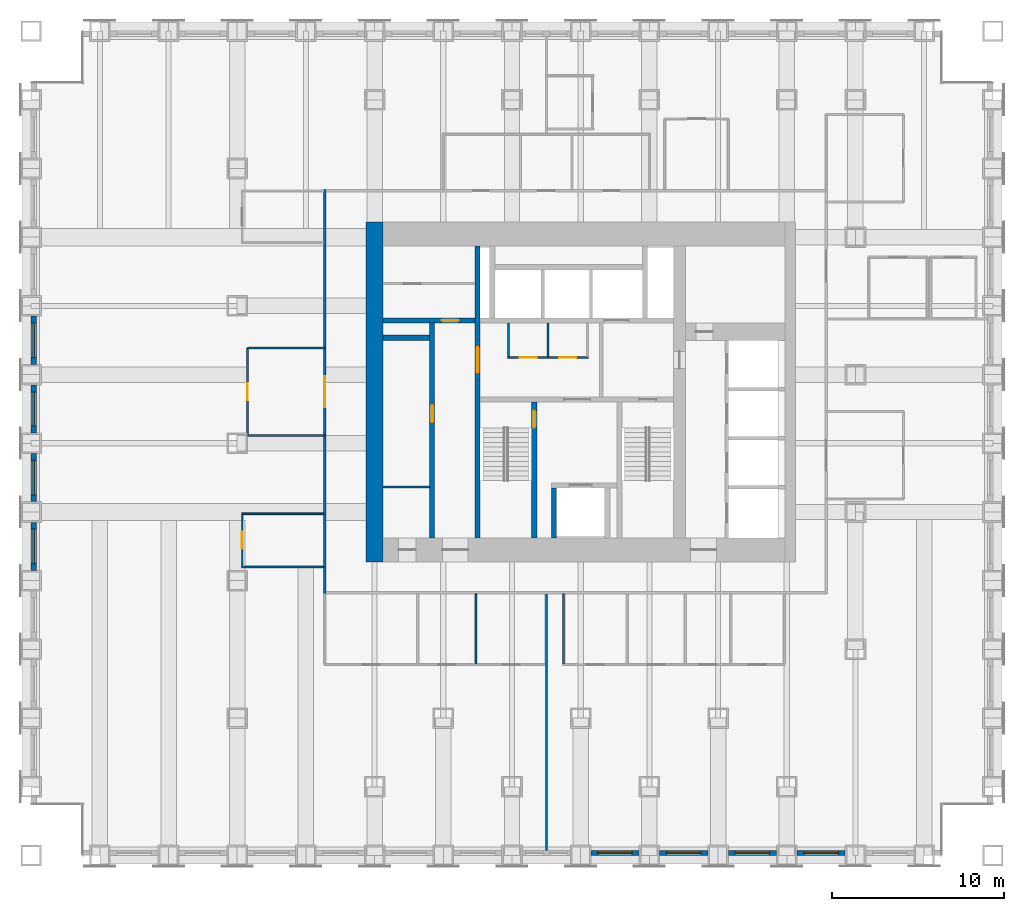
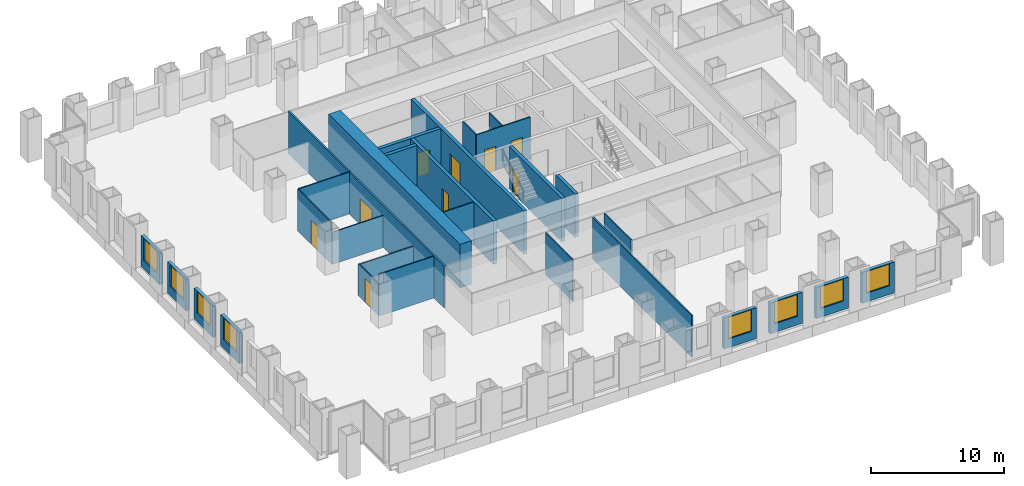
# One storey, part 8 of 14: 29 walls, 9 doors, 8 windows, 17 openings.
"""IFC4 building model written with IfcOpenShell, lengths in metres."""

from ifc_helpers import new_model, si_unit, direction, frame, frame_2d, origin, place, context, subcontext, project, spatial, rectangle, extrude, material, layer, layer_set, type_object, element, fill, save


model = new_model("IFC4")

# Units and contexts
model_context = context("Model", 3, precision=1e-05, world=origin(), true_north=direction((0.0, 1.0)))
body_context = subcontext(model_context, "Body", "Model", "MODEL_VIEW")
ifc_project = project(units=[si_unit("LENGTHUNIT", "METRE"), si_unit("AREAUNIT", "SQUARE_METRE"), si_unit("VOLUMEUNIT", "CUBIC_METRE"), si_unit("PLANEANGLEUNIT", "RADIAN"), si_unit("MASSUNIT", "GRAM", prefix="KILO")], contexts=[model_context])

# Site, building, storey
site_placement = place(None, origin())
site = spatial("IfcSite", under=ifc_project, at=site_placement, CompositionType="ELEMENT")
building_placement = place(site_placement, origin())
building = spatial("IfcBuilding", under=site, at=building_placement, Name="Rimbunsela Tower", CompositionType="ELEMENT")
storey_placement = place(building_placement, frame((0.0, 0.0, 51.0)))
storey = spatial("IfcBuildingStorey", under=building, at=storey_placement, Name="L12", CompositionType="ELEMENT", Elevation=51.0)

# Wall, opening, door
ifc_material_1 = material(Name="Concrete fc' 80 MPa", Category="concrete")
ifc_layer_1 = layer(ifc_material_1, 0.300048828125)
ifc_layer_set_1 = layer_set([ifc_layer_1], Name="Core internal wall 300")
wall_type_1 = type_object("IfcWallType", Name="Core internal wall 300", PredefinedType="SHEAR", material=ifc_layer_set_1)
wall_1_placement = place(storey_placement, frame((24.0, 18.5, -0.14990234375), z_axis=(0.0, 0.0, 1.0), x_axis=(0.0, 1.0, 0.0)))
wall_1 = element("IfcWall", 1, at=wall_1_placement, inside=storey, type_object=wall_type_1, Name="Core wall at stair A", PredefinedType="SHEAR", context=body_context, shape_type="SweptSolid", body=[
    extrude(rectangle(XDim=17.0, YDim=0.300048828125, at=frame_2d((8.5, 0.0))), origin(), (0.0, 0.0, 1.0), 4.0),
])
opening_1_placement = place(wall_1_placement, frame((9.60009765625, 0.0, 0.14990234375)))
opening_1 = element("IfcOpeningElement", 2, at=opening_1_placement, cuts=wall_1, Name="Opening D03", PredefinedType="OPENING", context=body_context, shape_type="SweptSolid", body=[
    extrude(rectangle(XDim=1.5, YDim=2.39990234375, at=frame_2d((0.75, 1.199951171875))), frame((0.0, 0.159912109375, 0.0), z_axis=(0.0, -1.0, 0.0), x_axis=(1.0, 0.0, 0.0)), (0.0, 0.0, 1.0), 0.320068359375),
])
ifc_material_2 = material(Name="Steel door, fire rated", Category="steel")
door_type_1 = type_object("IfcDoorType", Name="Core lobby door 1500", OperationType="DOUBLE_DOOR_DOUBLE_SWING", PredefinedType="DOOR", material=ifc_material_2)
door_1_placement = place(opening_1_placement, origin())
door_1 = element("IfcDoor", 3, at=door_1_placement, inside=storey, type_object=door_type_1, Name="West lobby door", OperationType="DOUBLE_DOOR_DOUBLE_SWING", OverallHeight=2.39990234375, OverallWidth=1.5, PredefinedType="DOOR", context=body_context, shape_type="SweptSolid", body=[
    extrude(rectangle(XDim=1.5, YDim=2.39990234375, at=frame_2d((0.75, 1.199951171875))), frame((0.0, 0.02490234375, 0.0), z_axis=(0.0, -1.0, 0.0), x_axis=(1.0, 0.0, 0.0)), (0.0, 0.0, 1.0), 0.050048828125),
])
fill(opening_1, door_1)

wall_2_placement = place(storey_placement, frame((27.300048828125, 18.5, -0.14990234375), z_axis=(0.0, 0.0, 1.0), x_axis=(0.0, 1.0, 0.0)))
wall_2 = element("IfcWall", 4, at=wall_2_placement, inside=storey, type_object=wall_type_1, Name="Stair A enclosure", PredefinedType="SHEAR", context=body_context, shape_type="SweptSolid", body=[
    extrude(rectangle(XDim=7.89990234375, YDim=0.300048828125, at=frame_2d((3.949951171875, 0.0))), origin(), (0.0, 0.0, 1.0), 4.0),
])
opening_2_placement = place(wall_2_placement, frame((6.39990234375, 0.0, 0.14990234375)))
opening_2 = element("IfcOpeningElement", 5, at=opening_2_placement, cuts=wall_2, Name="Opening D01", PredefinedType="OPENING", context=body_context, shape_type="SweptSolid", body=[
    extrude(rectangle(XDim=1.0, YDim=2.199951171875, at=frame_2d((0.5, 1.10009765625))), frame((0.0, 0.159912109375, 0.0), z_axis=(0.0, -1.0, 0.0), x_axis=(1.0, 0.0, 0.0)), (0.0, 0.0, 1.0), 0.320068359375),
])
ifc_material_3 = material(Name="Steel door, fire rated", Category="steel")
door_type_2 = type_object("IfcDoorType", Name="Stair door 1000", OperationType="SINGLE_SWING_RIGHT", PredefinedType="DOOR", material=ifc_material_3)
door_2_placement = place(opening_2_placement, origin())
door_2 = element("IfcDoor", 6, at=door_2_placement, inside=storey, type_object=door_type_2, Name="Stair A door", OperationType="SINGLE_SWING_RIGHT", OverallHeight=2.199951171875, OverallWidth=1.0, PredefinedType="DOOR", context=body_context, shape_type="SweptSolid", body=[
    extrude(rectangle(XDim=1.0, YDim=2.199951171875, at=frame_2d((0.5, 1.10009765625))), frame((0.0, 0.02490234375, 0.0), z_axis=(0.0, -1.0, 0.0), x_axis=(1.0, 0.0, 0.0)), (0.0, 0.0, 1.0), 0.050048828125),
])
fill(opening_2, door_2)

# Wall
wall_3_placement = place(storey_placement, frame((28.449951171875, 18.5, -0.14990234375), z_axis=(0.0, 0.0, 1.0), x_axis=(0.0, 1.0, 0.0)))
element("IfcWall", 7, at=wall_3_placement, inside=storey, type_object=wall_type_1, Name="Firefighting lift shaft west", PredefinedType="SHEAR", context=body_context, shape_type="SweptSolid", body=[
    extrude(rectangle(XDim=2.89990234375, YDim=0.300048828125, at=frame_2d((1.449951171875, 0.0))), origin(), (0.0, 0.0, 1.0), 4.0),
])

# Wall, opening, door
wall_4_placement = place(storey_placement, frame((21.35009765625, 18.5, -0.14990234375), z_axis=(0.0, 0.0, 1.0), x_axis=(0.0, 1.0, 0.0)))
wall_4 = element("IfcWall", 8, at=wall_4_placement, inside=storey, type_object=wall_type_1, Name="Lift shaft front west", PredefinedType="SHEAR", context=body_context, shape_type="SweptSolid", body=[
    extrude(rectangle(XDim=12.5, YDim=0.300048828125, at=frame_2d((6.25, 0.0))), origin(), (0.0, 0.0, 1.0), 4.0),
])
opening_3_placement = place(wall_4_placement, frame((6.72509765625, 0.0, 0.14990234375)))
opening_3 = element("IfcOpeningElement", 9, at=opening_3_placement, cuts=wall_4, Name="Opening D19", PredefinedType="OPENING", context=body_context, shape_type="SweptSolid", body=[
    extrude(rectangle(XDim=1.0, YDim=2.199951171875, at=frame_2d((0.5, 1.10009765625))), frame((0.0, 0.159912109375, 0.0), z_axis=(0.0, -1.0, 0.0), x_axis=(1.0, 0.0, 0.0)), (0.0, 0.0, 1.0), 0.320068359375),
])
ifc_material_4 = material(Name="Steel door, fire rated", Category="steel")
door_type_3 = type_object("IfcDoorType", Name="Service door 1000 fire rated", OperationType="SINGLE_SWING_LEFT", PredefinedType="DOOR", material=ifc_material_4)
door_3_placement = place(opening_3_placement, origin())
door_3 = element("IfcDoor", 10, at=door_3_placement, inside=storey, type_object=door_type_3, Name="Housekeeping store door", OperationType="SINGLE_SWING_LEFT", OverallHeight=2.199951171875, OverallWidth=1.0, PredefinedType="DOOR", context=body_context, shape_type="SweptSolid", body=[
    extrude(rectangle(XDim=1.0, YDim=2.199951171875, at=frame_2d((0.5, 1.10009765625))), frame((0.0, 0.02490234375, 0.0), z_axis=(0.0, -1.0, 0.0), x_axis=(1.0, 0.0, 0.0)), (0.0, 0.0, 1.0), 0.050048828125),
])
fill(opening_3, door_3)

wall_5_placement = place(storey_placement, frame((18.5, 31.14990234375, -0.14990234375), z_axis=(0.0, 0.0, 1.0), x_axis=(1.0, 0.0, 0.0)))
wall_5 = element("IfcWall", 11, at=wall_5_placement, inside=storey, type_object=wall_type_1, Name="Store wall", PredefinedType="SHEAR", context=body_context, shape_type="SweptSolid", body=[
    extrude(rectangle(XDim=5.35009765625, YDim=0.300048828125, at=frame_2d((2.675048828125, 0.0))), origin(), (0.0, 0.0, 1.0), 4.0),
])
opening_4_placement = place(wall_5_placement, frame((3.39990234375, 0.0, 0.14990234375)))
opening_4 = element("IfcOpeningElement", 12, at=opening_4_placement, cuts=wall_5, Name="Opening D19", PredefinedType="OPENING", context=body_context, shape_type="SweptSolid", body=[
    extrude(rectangle(XDim=1.0, YDim=2.199951171875, at=frame_2d((0.5, 1.10009765625))), frame((0.0, 0.159912109375, 0.0), z_axis=(0.0, -1.0, 0.0), x_axis=(1.0, 0.0, 0.0)), (0.0, 0.0, 1.0), 0.320068359375),
])
door_4_placement = place(opening_4_placement, origin())
door_4 = element("IfcDoor", 13, at=door_4_placement, inside=storey, type_object=door_type_3, Name="Facilities store door", OperationType="SINGLE_SWING_LEFT", OverallHeight=2.199951171875, OverallWidth=1.0, PredefinedType="DOOR", context=body_context, shape_type="SweptSolid", body=[
    extrude(rectangle(XDim=1.0, YDim=2.199951171875, at=frame_2d((0.5, 1.10009765625))), frame((0.0, 0.02490234375, 0.0), z_axis=(0.0, -1.0, 0.0), x_axis=(1.0, 0.0, 0.0)), (0.0, 0.0, 1.0), 0.050048828125),
])
fill(opening_4, door_4)

# Wall
wall_6_placement = place(storey_placement, frame((18.5, 30.14990234375, -0.14990234375), z_axis=(0.0, 0.0, 1.0), x_axis=(1.0, 0.0, 0.0)))
element("IfcWall", 14, at=wall_6_placement, inside=storey, type_object=wall_type_1, Name="Lift shaft rear west", PredefinedType="SHEAR", context=body_context, shape_type="SweptSolid", body=[
    extrude(rectangle(XDim=2.699951171875, YDim=0.300048828125, at=frame_2d((1.35009765625, 0.0))), origin(), (0.0, 0.0, 1.0), 4.0),
])

# Wall, openings, doors
ifc_material_5 = material(Name="Concrete blockwork", Category="masonry")
ifc_layer_2 = layer(ifc_material_5, 0.10009765625)
ifc_layer_set_2 = layer_set([ifc_layer_2], Name="Core room partition 100")
wall_type_2 = type_object("IfcWallType", Name="Core room partition 100", PredefinedType="PARTITIONING", material=ifc_layer_set_2)
wall_7_placement = place(storey_placement, frame((25.75, 29.0, 0.0), z_axis=(0.0, 0.0, 1.0), x_axis=(1.0, 0.0, 0.0)))
wall_7 = element("IfcWall", 15, at=wall_7_placement, inside=storey, type_object=wall_type_2, Name="Lobby room wall", PredefinedType="PARTITIONING", context=body_context, shape_type="SweptSolid", body=[
    extrude(rectangle(XDim=4.699951171875, YDim=0.10009765625, at=frame_2d((2.35009765625, 0.0))), origin(), (0.0, 0.0, 1.0), 3.85009765625),
])
opening_5_placement = place(wall_7_placement, frame((0.699951171875, 0.0, 0.0)))
opening_5 = element("IfcOpeningElement", 16, at=opening_5_placement, cuts=wall_7, Name="Opening D19", PredefinedType="OPENING", context=body_context, shape_type="SweptSolid", body=[
    extrude(rectangle(XDim=1.0, YDim=2.199951171875, at=frame_2d((0.5, 1.10009765625))), frame((0.0, 0.06005859375, 0.0), z_axis=(0.0, -1.0, 0.0), x_axis=(1.0, 0.0, 0.0)), (0.0, 0.0, 1.0), 0.1201171875),
])
opening_6_placement = place(wall_7_placement, frame((3.0, 0.0, 0.0)))
opening_6 = element("IfcOpeningElement", 17, at=opening_6_placement, cuts=wall_7, Name="Opening D19", PredefinedType="OPENING", context=body_context, shape_type="SweptSolid", body=[
    extrude(rectangle(XDim=1.0, YDim=2.199951171875, at=frame_2d((0.5, 1.10009765625))), frame((0.0, 0.06005859375, 0.0), z_axis=(0.0, -1.0, 0.0), x_axis=(1.0, 0.0, 0.0)), (0.0, 0.0, 1.0), 0.1201171875),
])
door_5_placement = place(opening_5_placement, origin())
door_5 = element("IfcDoor", 18, at=door_5_placement, inside=storey, type_object=door_type_3, Name="Staff WC door", OperationType="SINGLE_SWING_LEFT", OverallHeight=2.199951171875, OverallWidth=1.0, PredefinedType="DOOR", context=body_context, shape_type="SweptSolid", body=[
    extrude(rectangle(XDim=1.0, YDim=2.199951171875, at=frame_2d((0.5, 1.10009765625))), frame((0.0, 0.02490234375, 0.0), z_axis=(0.0, -1.0, 0.0), x_axis=(1.0, 0.0, 0.0)), (0.0, 0.0, 1.0), 0.050048828125),
])
fill(opening_5, door_5)
door_6_placement = place(opening_6_placement, origin())
door_6 = element("IfcDoor", 19, at=door_6_placement, inside=storey, type_object=door_type_3, Name="Cleaners store door", OperationType="SINGLE_SWING_LEFT", OverallHeight=2.199951171875, OverallWidth=1.0, PredefinedType="DOOR", context=body_context, shape_type="SweptSolid", body=[
    extrude(rectangle(XDim=1.0, YDim=2.199951171875, at=frame_2d((0.5, 1.10009765625))), frame((0.0, 0.02490234375, 0.0), z_axis=(0.0, -1.0, 0.0), x_axis=(1.0, 0.0, 0.0)), (0.0, 0.0, 1.0), 0.050048828125),
])
fill(opening_6, door_6)

# Walls
for number, where, z_axis, x_axis, name in (
    (20, (25.800048828125, 29.050048828125, 0.0), (0.0, 0.0, 1.0), (0.0, 1.0, 0.0), "Lobby room wall"),
    (21, (28.10009765625, 29.050048828125, 0.0), (0.0, 0.0, 1.0), (0.0, 1.0, 0.0), "Lobby room wall"),
):
    element("IfcWall", number, at=place(storey_placement, frame(where, z_axis=z_axis, x_axis=x_axis)), inside=storey, type_object=wall_type_2, Name=name, PredefinedType="PARTITIONING", context=body_context, shape_type="SweptSolid", body=[
        extrude(rectangle(XDim=1.949951171875, YDim=0.10009765625, at=frame_2d((0.97509765625, 0.0))), origin(), (0.0, 0.0, 1.0), 3.85009765625),
    ])
wall_8_placement = place(storey_placement, frame((18.5, 21.449951171875, 0.0), z_axis=(0.0, 0.0, 1.0), x_axis=(1.0, 0.0, 0.0)))
element("IfcWall", 22, at=wall_8_placement, inside=storey, type_object=wall_type_2, Name="Housekeeping store wall", PredefinedType="PARTITIONING", context=body_context, shape_type="SweptSolid", body=[
    extrude(rectangle(XDim=2.699951171875, YDim=0.10009765625, at=frame_2d((1.35009765625, 0.0))), origin(), (0.0, 0.0, 1.0), 3.85009765625),
])
ifc_material_6 = material(Name="Concrete fc' 80 MPa", Category="concrete")
ifc_layer_3 = layer(ifc_material_6, 1.0)
ifc_layer_set_3 = layer_set([ifc_layer_3], Name="Core wall 1000")
wall_type_3 = type_object("IfcWallType", Name="Core wall 1000", PredefinedType="SHEAR", material=ifc_layer_set_3)
wall_9_placement = place(storey_placement, frame((18.0, 17.10009765625, -0.14990234375), z_axis=(0.0, 0.0, 1.0), x_axis=(0.0, 1.0, 0.0)))
element("IfcWall", 23, at=wall_9_placement, inside=storey, type_object=wall_type_3, Name="Core wall west", PredefinedType="SHEAR", context=body_context, shape_type="SweptSolid", body=[
    extrude(rectangle(XDim=19.7998046875, YDim=1.0, at=frame_2d((9.89990234375, 0.0))), origin(), (0.0, 0.0, 1.0), 4.0),
])
ifc_material_7 = material(Name="Gypsum board on steel studs", Category="steel")
ifc_layer_4 = layer(ifc_material_7, 0.10009765625)
ifc_layer_set_4 = layer_set([ifc_layer_4], Name="Office partition 100")
wall_type_4 = type_object("IfcWallType", Name="Office partition 100", PredefinedType="PARTITIONING", material=ifc_layer_set_4)
wall_10_placement = place(storey_placement, frame((10.25, 16.800048828125, 0.0), z_axis=(0.0, 0.0, 1.0), x_axis=(1.0, 0.0, 0.0)))
element("IfcWall", 24, at=wall_10_placement, inside=storey, type_object=wall_type_4, Name="Office partition", PredefinedType="PARTITIONING", context=body_context, shape_type="SweptSolid", body=[
    extrude(rectangle(XDim=4.77490234375, YDim=0.10009765625, at=frame_2d((2.387451171875, 0.0))), origin(), (0.0, 0.0, 1.0), 3.85009765625),
])
wall_11_placement = place(storey_placement, frame((10.25, 19.89990234375, 0.0), z_axis=(0.0, 0.0, 1.0), x_axis=(1.0, 0.0, 0.0)))
element("IfcWall", 25, at=wall_11_placement, inside=storey, type_object=wall_type_4, Name="Office partition", PredefinedType="PARTITIONING", context=body_context, shape_type="SweptSolid", body=[
    extrude(rectangle(XDim=4.77490234375, YDim=0.10009765625, at=frame_2d((2.387451171875, 0.0))), origin(), (0.0, 0.0, 1.0), 2.85009765625),
])

# Wall, opening, door
wall_12_placement = place(storey_placement, frame((10.300048828125, 16.85009765625, 0.0), z_axis=(0.0, 0.0, 1.0), x_axis=(0.0, 1.0, 0.0)))
wall_12 = element("IfcWall", 26, at=wall_12_placement, inside=storey, type_object=wall_type_4, Name="Office partition", PredefinedType="PARTITIONING", context=body_context, shape_type="SweptSolid", body=[
    extrude(rectangle(XDim=3.0, YDim=0.10009765625, at=frame_2d((1.5, 0.0))), origin(), (0.0, 0.0, 1.0), 2.949951171875),
])
opening_7_placement = place(wall_12_placement, frame((1.0, 0.0, 0.0)))
opening_7 = element("IfcOpeningElement", 27, at=opening_7_placement, cuts=wall_12, Name="Opening D16", PredefinedType="OPENING", context=body_context, shape_type="SweptSolid", body=[
    extrude(rectangle(XDim=1.0, YDim=2.199951171875, at=frame_2d((0.5, 1.10009765625))), frame((0.0, 0.06005859375, 0.0), z_axis=(0.0, -1.0, 0.0), x_axis=(1.0, 0.0, 0.0)), (0.0, 0.0, 1.0), 0.1201171875),
])
ifc_material_8 = material(Name="Timber door", Category="wood")
door_type_4 = type_object("IfcDoorType", Name="Office door 1000", OperationType="SINGLE_SWING_LEFT", PredefinedType="DOOR", material=ifc_material_8)
door_7_placement = place(opening_7_placement, origin())
door_7 = element("IfcDoor", 28, at=door_7_placement, inside=storey, type_object=door_type_4, Name="Office door", OperationType="SINGLE_SWING_LEFT", OverallHeight=2.199951171875, OverallWidth=1.0, PredefinedType="DOOR", context=body_context, shape_type="SweptSolid", body=[
    extrude(rectangle(XDim=1.0, YDim=2.199951171875, at=frame_2d((0.5, 1.10009765625))), frame((0.0, 0.02490234375, 0.0), z_axis=(0.0, -1.0, 0.0), x_axis=(1.0, 0.0, 0.0)), (0.0, 0.0, 1.0), 0.050048828125),
])
fill(opening_7, door_7)

# Walls
for number, where, z_axis, x_axis, name in (
    (29, (23.89990234375, 11.14990234375, 0.0), (0.0, 0.0, 1.0), (0.0, 1.0, 0.0), "Office partition"),
    (30, (28.9990234375, 11.14990234375, 0.0), (0.0, 0.0, 1.0), (0.0, 1.0, 0.0), "Office partition"),
):
    element("IfcWall", number, at=place(storey_placement, frame(where, z_axis=z_axis, x_axis=x_axis)), inside=storey, type_object=wall_type_4, Name=name, PredefinedType="PARTITIONING", context=body_context, shape_type="SweptSolid", body=[
        extrude(rectangle(XDim=4.0751953125, YDim=0.10009765625, at=frame_2d((2.03759765625, 0.0))), origin(), (0.0, 0.0, 1.0), 3.85009765625),
    ])
wall_13_placement = place(storey_placement, frame((15.10009765625, 29.550048828125, 0.0), z_axis=(0.0, 0.0, 1.0), x_axis=(-1.0, 0.0, 0.0)))
element("IfcWall", 31, at=wall_13_placement, inside=storey, type_object=wall_type_4, Name="Office partition", PredefinedType="PARTITIONING", context=body_context, shape_type="SweptSolid", body=[
    extrude(rectangle(XDim=4.5, YDim=0.10009765625, at=frame_2d((2.25, 0.0))), origin(), (0.0, 0.0, 1.0), 3.85009765625),
])

# Wall, opening, door
wall_14_placement = place(storey_placement, frame((10.60009765625, 29.550048828125, 0.0), z_axis=(0.0, 0.0, 1.0), x_axis=(0.0, -1.0, 0.0)))
wall_14 = element("IfcWall", 32, at=wall_14_placement, inside=storey, type_object=wall_type_4, Name="Office partition", PredefinedType="PARTITIONING", context=body_context, shape_type="SweptSolid", body=[
    extrude(rectangle(XDim=5.10009765625, YDim=0.10009765625, at=frame_2d((2.550048828125, 0.0))), origin(), (0.0, 0.0, 1.0), 3.85009765625),
])
opening_8_placement = place(wall_14_placement, frame((2.050048828125, 0.0, 0.0)))
opening_8 = element("IfcOpeningElement", 33, at=opening_8_placement, cuts=wall_14, Name="Opening D17", PredefinedType="OPENING", context=body_context, shape_type="SweptSolid", body=[
    extrude(rectangle(XDim=1.0, YDim=2.199951171875, at=frame_2d((0.5, 1.10009765625))), frame((0.0, 0.06005859375, 0.0), z_axis=(0.0, -1.0, 0.0), x_axis=(1.0, 0.0, 0.0)), (0.0, 0.0, 1.0), 0.1201171875),
])
ifc_material_9 = material(Name="Glazed aluminium door", Category="aluminium")
door_type_5 = type_object("IfcDoorType", Name="Meeting room door 1000 glazed", OperationType="SINGLE_SWING_RIGHT", PredefinedType="DOOR", material=ifc_material_9)
door_8_placement = place(opening_8_placement, origin())
door_8 = element("IfcDoor", 34, at=door_8_placement, inside=storey, type_object=door_type_5, Name="Reception door", OperationType="SINGLE_SWING_RIGHT", OverallHeight=2.199951171875, OverallWidth=1.0, PredefinedType="DOOR", context=body_context, shape_type="SweptSolid", body=[
    extrude(rectangle(XDim=1.0, YDim=2.199951171875, at=frame_2d((0.5, 1.10009765625))), frame((0.0, 0.02490234375, 0.0), z_axis=(0.0, -1.0, 0.0), x_axis=(1.0, 0.0, 0.0)), (0.0, 0.0, 1.0), 0.050048828125),
])
fill(opening_8, door_8)

# Wall
wall_15_placement = place(storey_placement, frame((10.60009765625, 24.449951171875, 0.0), z_axis=(0.0, 0.0, 1.0), x_axis=(1.0, 0.0, 0.0)))
element("IfcWall", 35, at=wall_15_placement, inside=storey, type_object=wall_type_4, Name="Office partition", PredefinedType="PARTITIONING", context=body_context, shape_type="SweptSolid", body=[
    extrude(rectangle(XDim=4.5, YDim=0.10009765625, at=frame_2d((2.25, 0.0))), origin(), (0.0, 0.0, 1.0), 2.949951171875),
])

# Wall, opening, window
ifc_material_10 = material(Name="Precast concrete fc' 35 MPa", Category="concrete")
ifc_layer_5 = layer(ifc_material_10, 0.300048828125)
ifc_layer_set_5 = layer_set([ifc_layer_5], Name="Precast concrete fc' 35 MPa")
wall_type_5 = type_object("IfcWallType", Name="Precast facade panel 300", PredefinedType="ELEMENTEDWALL", material=ifc_layer_set_5)
wall_16_placement = place(storey_placement, frame((30.60009765625, 0.14990234375, 0.0), z_axis=(0.0, 0.0, 1.0), x_axis=(1.0, 0.0, 0.0)))
wall_16 = element("IfcWall", 36, at=wall_16_placement, inside=storey, type_object=wall_type_5, Name="Facade panel S L12", PredefinedType="ELEMENTEDWALL", context=body_context, shape_type="SweptSolid", body=[
    extrude(rectangle(XDim=2.7998046875, YDim=0.300048828125, at=frame_2d((1.39990234375, 0.0))), origin(), (0.0, 0.0, 1.0), 2.85009765625),
])
opening_9_placement = place(wall_16_placement, frame((0.39990234375, 0.0, 0.800048828125)))
opening_9 = element("IfcOpeningElement", 37, at=opening_9_placement, cuts=wall_16, Name="Opening W1", PredefinedType="OPENING", context=body_context, shape_type="SweptSolid", body=[
    extrude(rectangle(XDim=2.0, YDim=2.0, at=frame_2d((1.0, 1.0))), frame((0.0, 0.159912109375, 0.0), z_axis=(0.0, -1.0, 0.0), x_axis=(1.0, 0.0, 0.0)), (0.0, 0.0, 1.0), 0.320068359375),
])
ifc_material_11 = material(Name="Clear glass in aluminium frame", Category="aluminium")
window_type = type_object("IfcWindowType", Name="Window W1 2000x2000", PartitioningType="DOUBLE_PANEL_VERTICAL", PredefinedType="WINDOW", material=ifc_material_11)
window_1_placement = place(opening_9_placement, origin())
window_1 = element("IfcWindow", 38, at=window_1_placement, inside=storey, type_object=window_type, Name="Window L12", OverallHeight=2.0, OverallWidth=2.0, PartitioningType="SINGLE_PANEL", PredefinedType="WINDOW", context=body_context, shape_type="SweptSolid", body=[
    extrude(rectangle(XDim=2.0, YDim=2.0, at=frame_2d((1.0, 1.0))), frame((0.0, 0.030029296875, 0.0), z_axis=(0.0, -1.0, 0.0), x_axis=(1.0, 0.0, 0.0)), (0.0, 0.0, 1.0), 0.06005859375),
])
fill(opening_9, window_1)

wall_17_placement = place(storey_placement, frame((34.60009765625, 0.14990234375, 0.0), z_axis=(0.0, 0.0, 1.0), x_axis=(1.0, 0.0, 0.0)))
wall_17 = element("IfcWall", 39, at=wall_17_placement, inside=storey, type_object=wall_type_5, Name="Facade panel S L12", PredefinedType="ELEMENTEDWALL", context=body_context, shape_type="SweptSolid", body=[
    extrude(rectangle(XDim=2.7998046875, YDim=0.300048828125, at=frame_2d((1.39990234375, 0.0))), origin(), (0.0, 0.0, 1.0), 2.85009765625),
])
opening_10_placement = place(wall_17_placement, frame((0.39990234375, 0.0, 0.800048828125)))
opening_10 = element("IfcOpeningElement", 40, at=opening_10_placement, cuts=wall_17, Name="Opening W1", PredefinedType="OPENING", context=body_context, shape_type="SweptSolid", body=[
    extrude(rectangle(XDim=2.0, YDim=2.0, at=frame_2d((1.0, 1.0))), frame((0.0, 0.159912109375, 0.0), z_axis=(0.0, -1.0, 0.0), x_axis=(1.0, 0.0, 0.0)), (0.0, 0.0, 1.0), 0.320068359375),
])
window_2_placement = place(opening_10_placement, origin())
window_2 = element("IfcWindow", 41, at=window_2_placement, inside=storey, type_object=window_type, Name="Window L12", OverallHeight=2.0, OverallWidth=2.0, PartitioningType="SINGLE_PANEL", PredefinedType="WINDOW", context=body_context, shape_type="SweptSolid", body=[
    extrude(rectangle(XDim=2.0, YDim=2.0, at=frame_2d((1.0, 1.0))), frame((0.0, 0.030029296875, 0.0), z_axis=(0.0, -1.0, 0.0), x_axis=(1.0, 0.0, 0.0)), (0.0, 0.0, 1.0), 0.06005859375),
])
fill(opening_10, window_2)

wall_18_placement = place(storey_placement, frame((38.60009765625, 0.14990234375, 0.0), z_axis=(0.0, 0.0, 1.0), x_axis=(1.0, 0.0, 0.0)))
wall_18 = element("IfcWall", 42, at=wall_18_placement, inside=storey, type_object=wall_type_5, Name="Facade panel S L12", PredefinedType="ELEMENTEDWALL", context=body_context, shape_type="SweptSolid", body=[
    extrude(rectangle(XDim=2.7998046875, YDim=0.300048828125, at=frame_2d((1.39990234375, 0.0))), origin(), (0.0, 0.0, 1.0), 2.85009765625),
])
opening_11_placement = place(wall_18_placement, frame((0.39990234375, 0.0, 0.800048828125)))
opening_11 = element("IfcOpeningElement", 43, at=opening_11_placement, cuts=wall_18, Name="Opening W1", PredefinedType="OPENING", context=body_context, shape_type="SweptSolid", body=[
    extrude(rectangle(XDim=2.0, YDim=2.0, at=frame_2d((1.0, 1.0))), frame((0.0, 0.159912109375, 0.0), z_axis=(0.0, -1.0, 0.0), x_axis=(1.0, 0.0, 0.0)), (0.0, 0.0, 1.0), 0.320068359375),
])
window_3_placement = place(opening_11_placement, origin())
window_3 = element("IfcWindow", 44, at=window_3_placement, inside=storey, type_object=window_type, Name="Window L12", OverallHeight=2.0, OverallWidth=2.0, PartitioningType="SINGLE_PANEL", PredefinedType="WINDOW", context=body_context, shape_type="SweptSolid", body=[
    extrude(rectangle(XDim=2.0, YDim=2.0, at=frame_2d((1.0, 1.0))), frame((0.0, 0.030029296875, 0.0), z_axis=(0.0, -1.0, 0.0), x_axis=(1.0, 0.0, 0.0)), (0.0, 0.0, 1.0), 0.06005859375),
])
fill(opening_11, window_3)

wall_19_placement = place(storey_placement, frame((42.60009765625, 0.14990234375, 0.0), z_axis=(0.0, 0.0, 1.0), x_axis=(1.0, 0.0, 0.0)))
wall_19 = element("IfcWall", 45, at=wall_19_placement, inside=storey, type_object=wall_type_5, Name="Facade panel S L12", PredefinedType="ELEMENTEDWALL", context=body_context, shape_type="SweptSolid", body=[
    extrude(rectangle(XDim=2.7998046875, YDim=0.300048828125, at=frame_2d((1.39990234375, 0.0))), origin(), (0.0, 0.0, 1.0), 2.85009765625),
])
opening_12_placement = place(wall_19_placement, frame((0.39990234375, 0.0, 0.800048828125)))
opening_12 = element("IfcOpeningElement", 46, at=opening_12_placement, cuts=wall_19, Name="Opening W1", PredefinedType="OPENING", context=body_context, shape_type="SweptSolid", body=[
    extrude(rectangle(XDim=2.0, YDim=2.0, at=frame_2d((1.0, 1.0))), frame((0.0, 0.159912109375, 0.0), z_axis=(0.0, -1.0, 0.0), x_axis=(1.0, 0.0, 0.0)), (0.0, 0.0, 1.0), 0.320068359375),
])
window_4_placement = place(opening_12_placement, origin())
window_4 = element("IfcWindow", 47, at=window_4_placement, inside=storey, type_object=window_type, Name="Window L12", OverallHeight=2.0, OverallWidth=2.0, PartitioningType="SINGLE_PANEL", PredefinedType="WINDOW", context=body_context, shape_type="SweptSolid", body=[
    extrude(rectangle(XDim=2.0, YDim=2.0, at=frame_2d((1.0, 1.0))), frame((0.0, 0.030029296875, 0.0), z_axis=(0.0, -1.0, 0.0), x_axis=(1.0, 0.0, 0.0)), (0.0, 0.0, 1.0), 0.06005859375),
])
fill(opening_12, window_4)

wall_20_placement = place(storey_placement, frame((-1.85009765625, 19.39990234375, 0.0), z_axis=(0.0, 0.0, 1.0), x_axis=(0.0, -1.0, 0.0)))
wall_20 = element("IfcWall", 48, at=wall_20_placement, inside=storey, type_object=wall_type_5, Name="Facade panel W L12", PredefinedType="ELEMENTEDWALL", context=body_context, shape_type="SweptSolid", body=[
    extrude(rectangle(XDim=2.7998046875, YDim=0.300048828125, at=frame_2d((1.39990234375, 0.0))), origin(), (0.0, 0.0, 1.0), 2.85009765625),
])
opening_13_placement = place(wall_20_placement, frame((0.39990234375, 0.0, 0.800048828125)))
opening_13 = element("IfcOpeningElement", 49, at=opening_13_placement, cuts=wall_20, Name="Opening W1", PredefinedType="OPENING", context=body_context, shape_type="SweptSolid", body=[
    extrude(rectangle(XDim=2.0, YDim=2.0, at=frame_2d((1.0, 1.0))), frame((0.0, 0.159912109375, 0.0), z_axis=(0.0, -1.0, 0.0), x_axis=(1.0, 0.0, 0.0)), (0.0, 0.0, 1.0), 0.320068359375),
])
window_5_placement = place(opening_13_placement, origin())
window_5 = element("IfcWindow", 50, at=window_5_placement, inside=storey, type_object=window_type, Name="Window L12", OverallHeight=2.0, OverallWidth=2.0, PartitioningType="SINGLE_PANEL", PredefinedType="WINDOW", context=body_context, shape_type="SweptSolid", body=[
    extrude(rectangle(XDim=2.0, YDim=2.0, at=frame_2d((1.0, 1.0))), frame((0.0, 0.030029296875, 0.0), z_axis=(0.0, -1.0, 0.0), x_axis=(1.0, 0.0, 0.0)), (0.0, 0.0, 1.0), 0.06005859375),
])
fill(opening_13, window_5)

wall_21_placement = place(storey_placement, frame((-1.85009765625, 23.39990234375, 0.0), z_axis=(0.0, 0.0, 1.0), x_axis=(0.0, -1.0, 0.0)))
wall_21 = element("IfcWall", 51, at=wall_21_placement, inside=storey, type_object=wall_type_5, Name="Facade panel W L12", PredefinedType="ELEMENTEDWALL", context=body_context, shape_type="SweptSolid", body=[
    extrude(rectangle(XDim=2.7998046875, YDim=0.300048828125, at=frame_2d((1.39990234375, 0.0))), origin(), (0.0, 0.0, 1.0), 2.85009765625),
])
opening_14_placement = place(wall_21_placement, frame((0.39990234375, 0.0, 0.800048828125)))
opening_14 = element("IfcOpeningElement", 52, at=opening_14_placement, cuts=wall_21, Name="Opening W1", PredefinedType="OPENING", context=body_context, shape_type="SweptSolid", body=[
    extrude(rectangle(XDim=2.0, YDim=2.0, at=frame_2d((1.0, 1.0))), frame((0.0, 0.159912109375, 0.0), z_axis=(0.0, -1.0, 0.0), x_axis=(1.0, 0.0, 0.0)), (0.0, 0.0, 1.0), 0.320068359375),
])
window_6_placement = place(opening_14_placement, origin())
window_6 = element("IfcWindow", 53, at=window_6_placement, inside=storey, type_object=window_type, Name="Window L12", OverallHeight=2.0, OverallWidth=2.0, PartitioningType="SINGLE_PANEL", PredefinedType="WINDOW", context=body_context, shape_type="SweptSolid", body=[
    extrude(rectangle(XDim=2.0, YDim=2.0, at=frame_2d((1.0, 1.0))), frame((0.0, 0.030029296875, 0.0), z_axis=(0.0, -1.0, 0.0), x_axis=(1.0, 0.0, 0.0)), (0.0, 0.0, 1.0), 0.06005859375),
])
fill(opening_14, window_6)

wall_22_placement = place(storey_placement, frame((-1.85009765625, 27.39990234375, 0.0), z_axis=(0.0, 0.0, 1.0), x_axis=(0.0, -1.0, 0.0)))
wall_22 = element("IfcWall", 54, at=wall_22_placement, inside=storey, type_object=wall_type_5, Name="Facade panel W L12", PredefinedType="ELEMENTEDWALL", context=body_context, shape_type="SweptSolid", body=[
    extrude(rectangle(XDim=2.7998046875, YDim=0.300048828125, at=frame_2d((1.39990234375, 0.0))), origin(), (0.0, 0.0, 1.0), 2.85009765625),
])
opening_15_placement = place(wall_22_placement, frame((0.39990234375, 0.0, 0.800048828125)))
opening_15 = element("IfcOpeningElement", 55, at=opening_15_placement, cuts=wall_22, Name="Opening W1", PredefinedType="OPENING", context=body_context, shape_type="SweptSolid", body=[
    extrude(rectangle(XDim=2.0, YDim=2.0, at=frame_2d((1.0, 1.0))), frame((0.0, 0.159912109375, 0.0), z_axis=(0.0, -1.0, 0.0), x_axis=(1.0, 0.0, 0.0)), (0.0, 0.0, 1.0), 0.320068359375),
])
window_7_placement = place(opening_15_placement, origin())
window_7 = element("IfcWindow", 56, at=window_7_placement, inside=storey, type_object=window_type, Name="Window L12", OverallHeight=2.0, OverallWidth=2.0, PartitioningType="SINGLE_PANEL", PredefinedType="WINDOW", context=body_context, shape_type="SweptSolid", body=[
    extrude(rectangle(XDim=2.0, YDim=2.0, at=frame_2d((1.0, 1.0))), frame((0.0, 0.030029296875, 0.0), z_axis=(0.0, -1.0, 0.0), x_axis=(1.0, 0.0, 0.0)), (0.0, 0.0, 1.0), 0.06005859375),
])
fill(opening_15, window_7)

wall_23_placement = place(storey_placement, frame((-1.85009765625, 31.39990234375, 0.0), z_axis=(0.0, 0.0, 1.0), x_axis=(0.0, -1.0, 0.0)))
wall_23 = element("IfcWall", 57, at=wall_23_placement, inside=storey, type_object=wall_type_5, Name="Facade panel W L12", PredefinedType="ELEMENTEDWALL", context=body_context, shape_type="SweptSolid", body=[
    extrude(rectangle(XDim=2.7998046875, YDim=0.300048828125, at=frame_2d((1.39990234375, 0.0))), origin(), (0.0, 0.0, 1.0), 2.85009765625),
])
opening_16_placement = place(wall_23_placement, frame((0.39990234375, 0.0, 0.800048828125)))
opening_16 = element("IfcOpeningElement", 58, at=opening_16_placement, cuts=wall_23, Name="Opening W1", PredefinedType="OPENING", context=body_context, shape_type="SweptSolid", body=[
    extrude(rectangle(XDim=2.0, YDim=2.0, at=frame_2d((1.0, 1.0))), frame((0.0, 0.159912109375, 0.0), z_axis=(0.0, -1.0, 0.0), x_axis=(1.0, 0.0, 0.0)), (0.0, 0.0, 1.0), 0.320068359375),
])
window_8_placement = place(opening_16_placement, origin())
window_8 = element("IfcWindow", 59, at=window_8_placement, inside=storey, type_object=window_type, Name="Window L12", OverallHeight=2.0, OverallWidth=2.0, PartitioningType="SINGLE_PANEL", PredefinedType="WINDOW", context=body_context, shape_type="SweptSolid", body=[
    extrude(rectangle(XDim=2.0, YDim=2.0, at=frame_2d((1.0, 1.0))), frame((0.0, 0.030029296875, 0.0), z_axis=(0.0, -1.0, 0.0), x_axis=(1.0, 0.0, 0.0)), (0.0, 0.0, 1.0), 0.06005859375),
])
fill(opening_16, window_8)

# Wall, opening, door
ifc_material_12 = material(Name="Fire-rated gypsum board on steel studs, EI 60", Category="steel")
ifc_layer_6 = layer(ifc_material_12, 0.14990234375)
ifc_layer_set_6 = layer_set([ifc_layer_6], Name="Rated corridor wall 150")
wall_type_6 = type_object("IfcWallType", Name="Rated corridor wall 150", PredefinedType="PARTITIONING", material=ifc_layer_set_6)
wall_24_placement = place(storey_placement, frame((15.10009765625, 15.22509765625, 0.0), z_axis=(0.0, 0.0, 1.0), x_axis=(0.0, 1.0, 0.0)))
wall_24 = element("IfcWall", 60, at=wall_24_placement, inside=storey, type_object=wall_type_6, Name="Corridor wall west", PredefinedType="PARTITIONING", context=body_context, shape_type="SweptSolid", body=[
    extrude(rectangle(XDim=23.5498046875, YDim=0.14990234375, at=frame_2d((11.77490234375, 0.0))), origin(), (0.0, 0.0, 1.0), 3.85009765625),
])
opening_17_placement = place(wall_24_placement, frame((10.875, 0.0, 0.0)))
opening_17 = element("IfcOpeningElement", 61, at=opening_17_placement, cuts=wall_24, Name="Opening D09", PredefinedType="OPENING", context=body_context, shape_type="SweptSolid", body=[
    extrude(rectangle(XDim=1.800048828125, YDim=2.39990234375, at=frame_2d((0.89990234375, 1.199951171875))), frame((0.0, 0.0849609375, 0.0), z_axis=(0.0, -1.0, 0.0), x_axis=(1.0, 0.0, 0.0)), (0.0, 0.0, 1.0), 0.169921875),
])
ifc_material_13 = material(Name="Glazed aluminium door, fire rated", Category="aluminium")
door_type_6 = type_object("IfcDoorType", Name="Tenancy door 1800 glazed", OperationType="DOUBLE_DOOR_DOUBLE_SWING", PredefinedType="DOOR", material=ifc_material_13)
door_9_placement = place(opening_17_placement, origin())
door_9 = element("IfcDoor", 62, at=door_9_placement, inside=storey, type_object=door_type_6, Name="Tenancy door", OperationType="DOUBLE_DOOR_DOUBLE_SWING", OverallHeight=2.39990234375, OverallWidth=1.800048828125, PredefinedType="DOOR", context=body_context, shape_type="SweptSolid", body=[
    extrude(rectangle(XDim=1.800048828125, YDim=2.39990234375, at=frame_2d((0.89990234375, 1.199951171875))), frame((0.0, 0.02490234375, 0.0), z_axis=(0.0, -1.0, 0.0), x_axis=(1.0, 0.0, 0.0)), (0.0, 0.0, 1.0), 0.050048828125),
])
fill(opening_17, door_9)

# Wall
ifc_material_14 = material(Name="Gypsum board on steel studs", Category="steel")
ifc_layer_7 = layer(ifc_material_14, 0.1201171875)
ifc_layer_set_7 = layer_set([ifc_layer_7], Name="Tenancy partition 120")
wall_type_7 = type_object("IfcWallType", Name="Tenancy partition 120", PredefinedType="PARTITIONING", material=ifc_layer_set_7)
wall_25_placement = place(storey_placement, frame((28.0, 0.300048828125, 0.0), z_axis=(0.0, 0.0, 1.0), x_axis=(0.0, 1.0, 0.0)))
element("IfcWall", 63, at=wall_25_placement, inside=storey, type_object=wall_type_7, Name="Tenancy partition south", PredefinedType="PARTITIONING", context=body_context, shape_type="SweptSolid", body=[
    extrude(rectangle(XDim=14.925048828125, YDim=0.1201171875, at=frame_2d((7.46240234375, 0.0))), origin(), (0.0, 0.0, 1.0), 3.85009765625),
])

save(model, "model.ifc")
